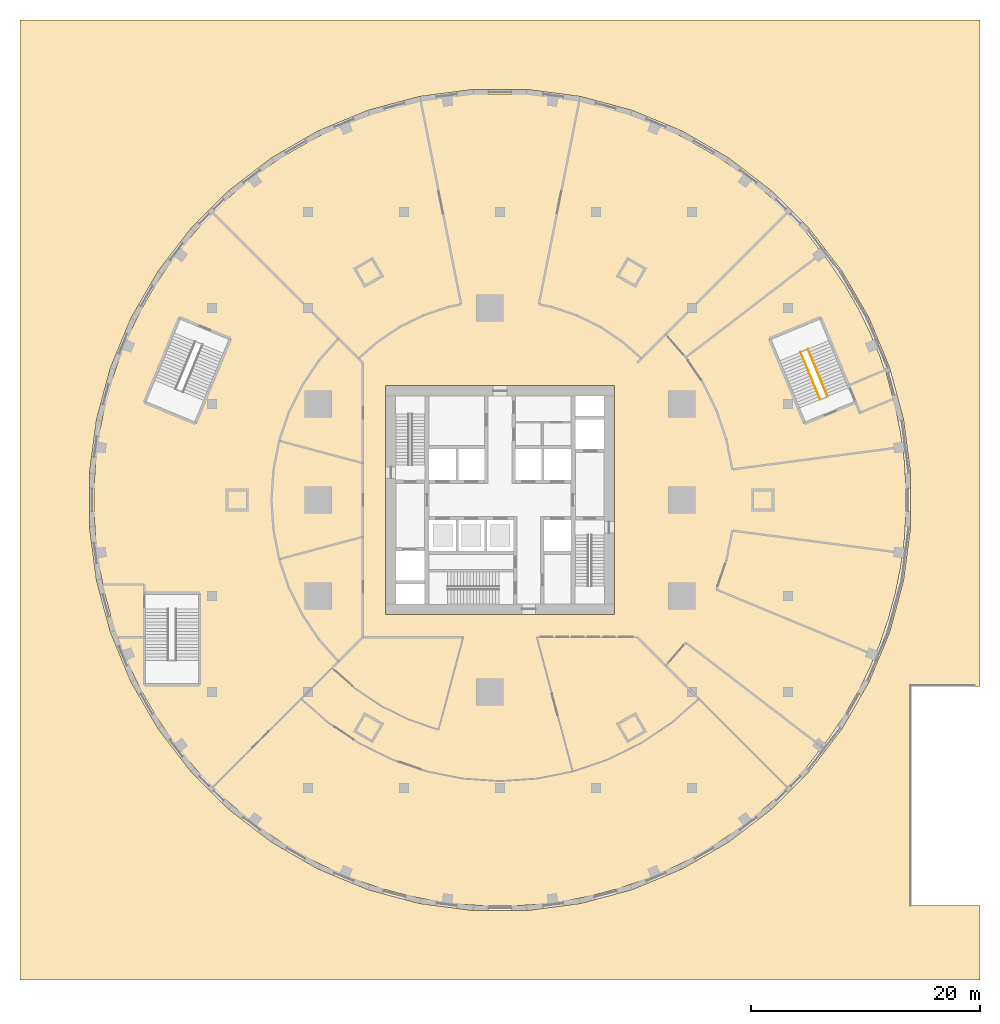
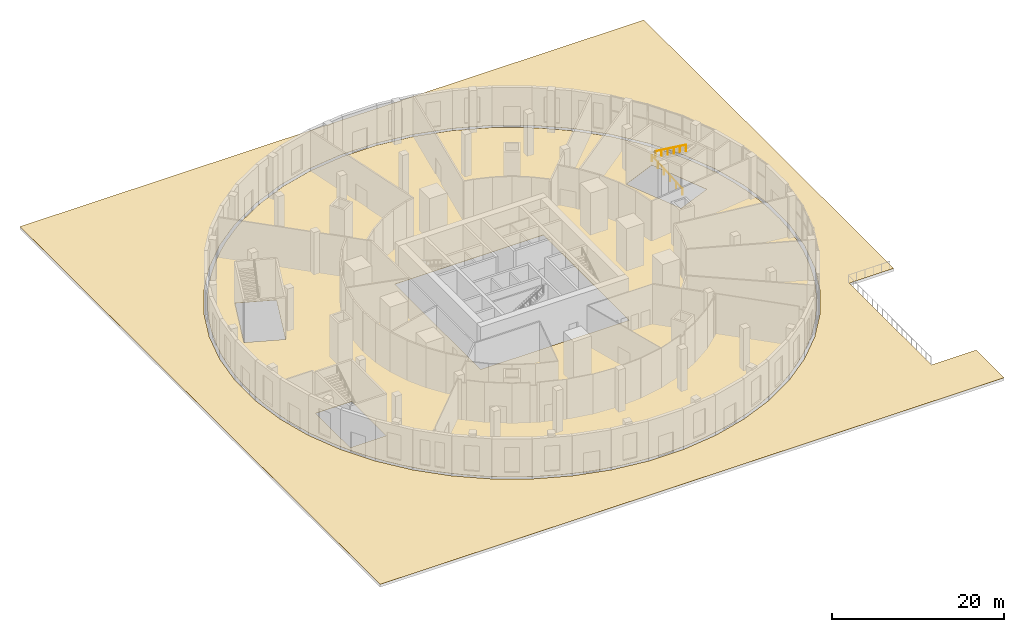
# One storey, part 17 of 19: 2 coverings, 2 railings.
"""IFC4 building model written with IfcOpenShell, lengths in metres."""

from ifc_helpers import new_model, si_unit, direction, frame, origin, origin_2d, place, context, subcontext, project, spatial, polyline, circle, outline, extrude, material, layer, layer_set, type_object, element, save


model = new_model("IFC4")

# Units and contexts
model_context = context("Model", 3, precision=1e-05, world=origin(), true_north=direction((0.0, 1.0)))
body_context = subcontext(model_context, "Body", "Model", "MODEL_VIEW")
ifc_project = project(units=[si_unit("LENGTHUNIT", "METRE"), si_unit("AREAUNIT", "SQUARE_METRE"), si_unit("VOLUMEUNIT", "CUBIC_METRE"), si_unit("PLANEANGLEUNIT", "RADIAN"), si_unit("MASSUNIT", "GRAM", prefix="KILO")], contexts=[model_context])

# Site, building, storey
site_placement = place(None, origin())
site = spatial("IfcSite", under=ifc_project, at=site_placement, CompositionType="ELEMENT")
building_placement = place(site_placement, origin())
building = spatial("IfcBuilding", under=site, at=building_placement, Name="Golbaran Civic Tower", CompositionType="ELEMENT")
storey_placement = place(building_placement, origin())
storey = spatial("IfcBuildingStorey", under=building, at=storey_placement, Name="L00", CompositionType="ELEMENT", Elevation=0.0)

# Railings
ifc_material_1 = material(Name="Stainless steel", Category="steel")
railing_type = type_object("IfcRailingType", Name="STAIR HANDRAIL 900", PredefinedType="HANDRAIL", material=ifc_material_1)
railing_1_placement = place(storey_placement, frame((28.0185546875, 8.79150390625, 0.176513671875)))
element("IfcRailing", 1, at=railing_1_placement, inside=storey, type_object=railing_type, Name="Stair P1 handrail flight 1 L00", PredefinedType="HANDRAIL", context=body_context, shape_type="SweptSolid", body=[
    extrude(circle(Radius=0.02392578125, at=origin_2d()), frame((0.0, 0.0, 0.8759765625), z_axis=(-0.323782929765, 0.78158792657, 0.533183765162), x_axis=(-0.923863395941, -0.38272238717, 0.0)), (0.0, 0.0, 1.0), 5.29541015625),
    extrude(circle(Radius=0.02099609375, at=origin_2d()), origin(), (0.0, 0.0, 1.0), 0.851806640625),
    extrude(circle(Radius=0.02099609375, at=origin_2d()), frame((-0.343017578125, 0.827880859375, 0.564697265625)), (0.0, 0.0, 1.0), 0.851806640625),
    extrude(circle(Radius=0.02099609375, at=origin_2d()), frame((-0.685791015625, 1.655517578125, 1.12939453125)), (0.0, 0.0, 1.0), 0.851806640625),
    extrude(circle(Radius=0.02099609375, at=origin_2d()), frame((-1.02880859375, 2.4833984375, 1.694091796875)), (0.0, 0.0, 1.0), 0.851806640625),
    extrude(circle(Radius=0.02099609375, at=origin_2d()), frame((-1.37158203125, 3.31103515625, 2.2587890625)), (0.0, 0.0, 1.0), 0.851806640625),
    extrude(circle(Radius=0.02099609375, at=origin_2d()), frame((-1.714599609375, 4.138916015625, 2.823486328125)), (0.0, 0.0, 1.0), 0.851806640625),
])
railing_2_placement = place(storey_placement, frame((26.95068359375, 13.1982421875, 3.176513671875)))
element("IfcRailing", 2, at=railing_2_placement, inside=storey, type_object=railing_type, Name="Stair P1 handrail flight 2 L00", PredefinedType="HANDRAIL", context=body_context, shape_type="SweptSolid", body=[
    extrude(circle(Radius=0.02392578125, at=origin_2d()), frame((0.0, 0.0, 0.8759765625), z_axis=(0.323782929765, -0.78158792657, 0.533183765162), x_axis=(0.923863395941, 0.38272238717, 0.0)), (0.0, 0.0, 1.0), 5.29541015625),
    extrude(circle(Radius=0.02099609375, at=origin_2d()), origin(), (0.0, 0.0, 1.0), 0.851806640625),
    extrude(circle(Radius=0.02099609375, at=origin_2d()), frame((0.343017578125, -0.827880859375, 0.564697265625)), (0.0, 0.0, 1.0), 0.851806640625),
    extrude(circle(Radius=0.02099609375, at=origin_2d()), frame((0.685791015625, -1.655517578125, 1.12939453125)), (0.0, 0.0, 1.0), 0.851806640625),
    extrude(circle(Radius=0.02099609375, at=origin_2d()), frame((1.02880859375, -2.4833984375, 1.694091796875)), (0.0, 0.0, 1.0), 0.851806640625),
    extrude(circle(Radius=0.02099609375, at=origin_2d()), frame((1.37158203125, -3.31103515625, 2.2587890625)), (0.0, 0.0, 1.0), 0.851806640625),
    extrude(circle(Radius=0.02099609375, at=origin_2d()), frame((1.714599609375, -4.138916015625, 2.823486328125)), (0.0, 0.0, 1.0), 0.851806640625),
])

# Coverings
ifc_material_2 = material(Name="Travertine tile on mortar bed", Category="masonry")
ifc_layer_1 = layer(ifc_material_2, 0.030029296875, Name="Travertine tile on mortar bed")
ifc_layer_set_1 = layer_set([ifc_layer_1], Name="Travertine tile on mortar bed")
covering_type_1 = type_object("IfcCoveringType", Name="STONE FLOOR FINISH 30", PredefinedType="FLOORING", material=ifc_layer_set_1)
covering_1_placement = place(storey_placement, frame((0.0, 0.0, -0.030029296875)))
element("IfcCovering", 3, at=covering_1_placement, inside=storey, type_object=covering_type_1, Name="Stone floor finish L00", PredefinedType="FLOORING", context=body_context, shape_type="SweptSolid", body=[
    extrude(outline(polyline([(-35.37158203125, -3.48388671875), (-35.523681640625, -1.162841796875), (-35.523681640625, 1.162841796875), (-35.37158203125, 3.48388671875), (-35.068115234375, 5.789794921875), (-34.6142578125, 8.071044921875), (-34.012451171875, 10.317626953125), (-33.2646484375, 12.52001953125), (-32.374755859375, 14.668701171875), (-31.345947265625, 16.7548828125), (-30.18310546875, 18.76904296875), (-28.890869140625, 20.702880859375), (-27.474853515625, 22.548095703125), (-25.94140625, 24.296875), (-24.205078125, 26.032958984375), (-22.800048828125, 27.281494140625), (-20.72900390625, 28.870849609375), (-19.218994140625, 29.92333984375), (-16.875244140625, 31.2763671875), (-15.34326171875, 32.09521484375), (-12.5908203125, 33.2353515625), (-11.231201171875, 33.767578125), (-6.9453125, 34.916015625), (-2.328369140625, 35.523681640625), (2.328369140625, 35.523681640625), (6.9453125, 34.916015625), (11.231201171875, 33.767578125), (12.5908203125, 33.2353515625), (15.34326171875, 32.09521484375), (16.875244140625, 31.2763671875), (19.218994140625, 29.92333984375), (20.72900390625, 28.870849609375), (22.800048828125, 27.281494140625), (24.205078125, 26.032958984375), (26.765380859375, 23.47265625), (28.890869140625, 20.702880859375), (30.18310546875, 18.76904296875), (31.345947265625, 16.7548828125), (32.374755859375, 14.668701171875), (33.2646484375, 12.52001953125), (33.663330078125, 11.345947265625), (33.7294921875, 11.37353515625), (34.6142578125, 8.071044921875), (35.068115234375, 5.789794921875), (35.37158203125, 3.48388671875), (35.523681640625, 1.162841796875), (35.523681640625, -1.162841796875), (35.37158203125, -3.48388671875), (35.2001953125, -4.785400390625), (35.068115234375, -5.789794921875), (34.6142578125, -8.071044921875), (34.012451171875, -10.317626953125), (33.2646484375, -12.52001953125), (32.374755859375, -14.668701171875), (31.345947265625, -16.7548828125), (30.18310546875, -18.76904296875), (28.890869140625, -20.702880859375), (26.765380859375, -23.47265625), (24.296875, -25.94140625), (22.548095703125, -27.474853515625), (20.702880859375, -28.890869140625), (18.76904296875, -30.18310546875), (16.7548828125, -31.345947265625), (14.668701171875, -32.374755859375), (12.52001953125, -33.2646484375), (10.317626953125, -34.012451171875), (8.071044921875, -34.6142578125), (5.789794921875, -35.068115234375), (3.48388671875, -35.37158203125), (1.162841796875, -35.523681640625), (-1.162841796875, -35.523681640625), (-3.48388671875, -35.37158203125), (-5.789794921875, -35.068115234375), (-8.071044921875, -34.6142578125), (-10.317626953125, -34.012451171875), (-12.52001953125, -33.2646484375), (-14.668701171875, -32.374755859375), (-16.7548828125, -31.345947265625), (-18.76904296875, -30.18310546875), (-20.702880859375, -28.890869140625), (-22.548095703125, -27.474853515625), (-24.296875, -25.94140625), (-25.94140625, -24.296875), (-27.474853515625, -22.548095703125), (-28.890869140625, -20.702880859375), (-30.18310546875, -18.76904296875), (-31.345947265625, -16.7548828125), (-32.374755859375, -14.668701171875), (-33.2646484375, -12.52001953125), (-33.441162109375, -12.0), (-33.47998046875, -12.0), (-33.710693359375, -11.443359375), (-34.794189453125, -7.39990234375), (-34.747802734375, -7.39990234375), (-35.068115234375, -5.789794921875), (-35.37158203125, -3.48388671875)]), holes=[polyline([(26.646728515625, 6.680908203125), (31.12744140625, 8.536865234375), (28.046875, 15.97412109375), (23.566162109375, 14.117919921875), (26.646728515625, 6.680908203125)]), polyline([(10.0, 10.0), (-10.0, 10.0), (-10.0, -10.0), (10.0, -10.0), (10.0, 10.0)]), polyline([(-28.046875, 15.97412109375), (-31.12744140625, 8.536865234375), (-26.646728515625, 6.680908203125), (-23.566162109375, 14.117919921875), (-28.046875, 15.97412109375)]), polyline([(-31.125, -8.125), (-31.125, -16.175048828125), (-26.27490234375, -16.175048828125), (-26.27490234375, -8.125), (-31.125, -8.125)])]), origin(), (0.0, 0.0, 1.0), 0.030029296875),
])
ifc_material_3 = material(Name="Reinforced bitumen membrane", Category="concrete")
ifc_layer_2 = layer(ifc_material_3, 0.010009765625, Name="Reinforced bitumen membrane")
ifc_layer_set_2 = layer_set([ifc_layer_2], Name="Reinforced bitumen membrane")
covering_type_2 = type_object("IfcCoveringType", Name="WATERPROOFING MEMBRANE 10", PredefinedType="MEMBRANE", material=ifc_layer_set_2)
covering_2_placement = place(storey_placement, frame((0.0, 0.0, -0.010009765625)))
element("IfcCovering", 4, at=covering_2_placement, inside=storey, type_object=covering_type_2, Name="Waterproofing membrane L00", PredefinedType="MEMBRANE", context=body_context, shape_type="SweptSolid", body=[
    extrude(outline(polyline([(42.0, 42.0), (42.0, -16.300048828125), (36.0, -16.300048828125), (36.0, -35.5), (42.0, -35.5), (42.0, -42.0), (-42.0, -42.0), (-42.0, 42.0), (42.0, 42.0)]), holes=[polyline([(32.287353515625, 15.92236328125), (29.932861328125, 20.00048828125), (27.066162109375, 23.736328125), (23.736328125, 27.066162109375), (20.00048828125, 29.932861328125), (15.92236328125, 32.287353515625), (11.57177734375, 34.089599609375), (7.023193359375, 35.308349609375), (2.3544921875, 35.9228515625), (-2.3544921875, 35.9228515625), (-7.023193359375, 35.308349609375), (-11.57177734375, 34.089599609375), (-15.92236328125, 32.287353515625), (-20.00048828125, 29.932861328125), (-23.736328125, 27.066162109375), (-27.066162109375, 23.736328125), (-29.932861328125, 20.00048828125), (-32.287353515625, 15.92236328125), (-34.089599609375, 11.57177734375), (-35.308349609375, 7.023193359375), (-35.9228515625, 2.3544921875), (-35.9228515625, -2.3544921875), (-35.308349609375, -7.023193359375), (-34.089599609375, -11.57177734375), (-32.287353515625, -15.92236328125), (-29.932861328125, -20.00048828125), (-27.066162109375, -23.736328125), (-23.736328125, -27.066162109375), (-20.00048828125, -29.932861328125), (-15.92236328125, -32.287353515625), (-11.57177734375, -34.089599609375), (-7.023193359375, -35.308349609375), (-2.3544921875, -35.9228515625), (2.3544921875, -35.9228515625), (7.023193359375, -35.308349609375), (11.57177734375, -34.089599609375), (15.92236328125, -32.287353515625), (20.00048828125, -29.932861328125), (23.736328125, -27.066162109375), (27.066162109375, -23.736328125), (29.932861328125, -20.00048828125), (32.287353515625, -15.92236328125), (34.089599609375, -11.57177734375), (35.308349609375, -7.023193359375), (35.9228515625, -2.3544921875), (35.9228515625, 2.3544921875), (35.308349609375, 7.023193359375), (34.089599609375, 11.57177734375), (32.287353515625, 15.92236328125)])]), origin(), (0.0, 0.0, 1.0), 0.010009765625),
])

save(model, "model.ifc")
